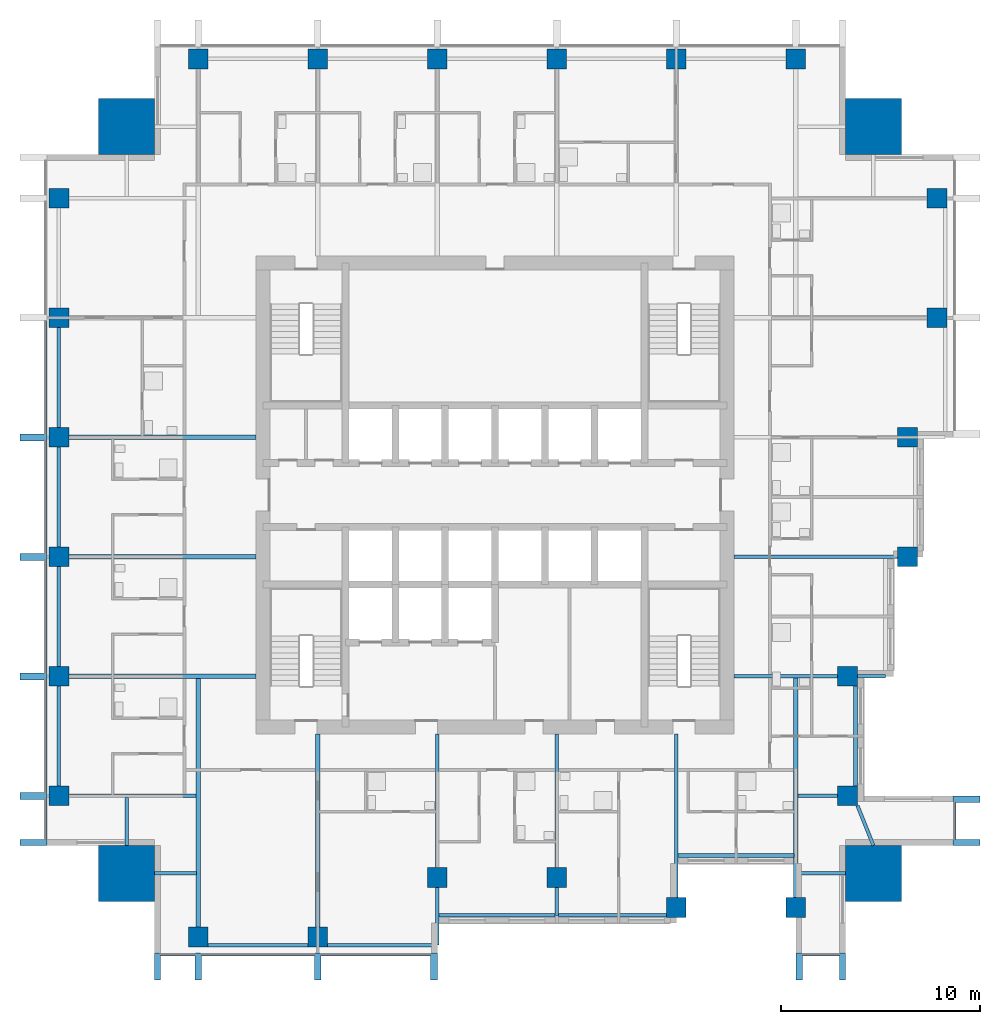
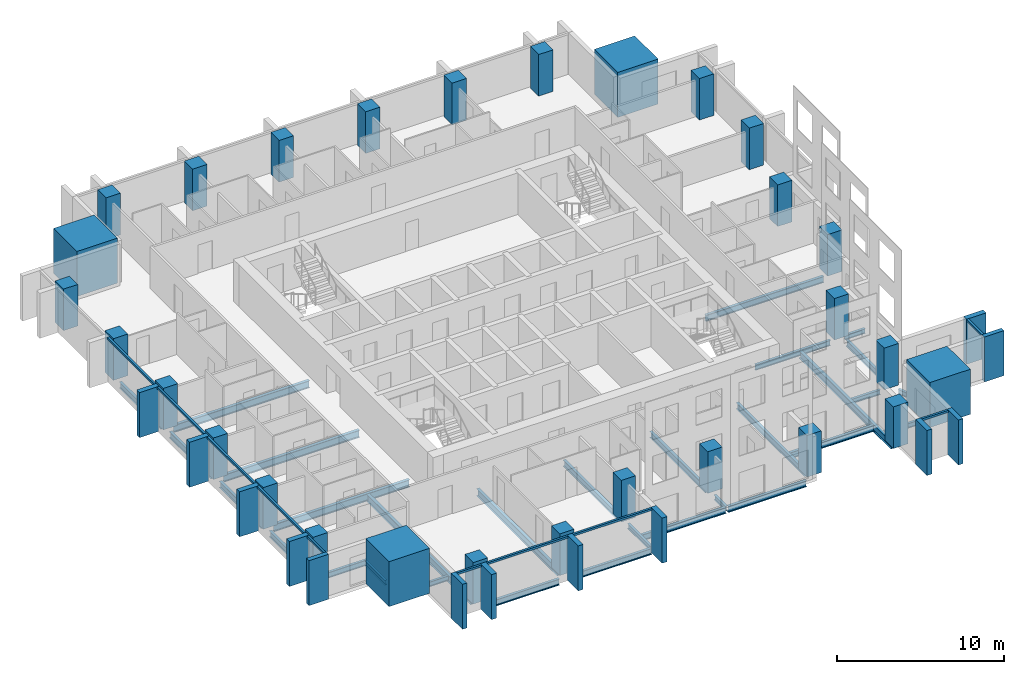
# One storey, part 1 of 11: 30 beams, 28 columns, 23 members, 4 elements without a shape of their own.
"""IFC4 building model written with IfcOpenShell, lengths in metres."""

import ifcopenshell
import ifcopenshell.guid

model = None  # the IFC model being written
_history = None  # IfcOwnerHistory: only IFC2X3 demands one
_inside = {}  # id of a spatial element -> (the spatial element, [elements in it])
_under = {}  # id of a project, library or spatial element -> (it, [spatial elements below it])
_declared = {}  # id of a project -> (the project, [libraries it declares])
_typed = {}  # id of a type object -> (the type object, [elements of that type])
_made_of = {}  # id of a material, layer set ... -> (it, [elements and type objects made of it])


def new_model(schema):
    """Start an empty IFC model of exactly this schema.

    Asked for "IFC4X3", IfcOpenShell would pick the latest addendum, in which some entities
    have other attributes; the version numbers below select the first issue.
    IFC2X3 requires an IfcOwnerHistory on every rooted entity: one is made here for all.
    """
    global model, _history
    if schema == "IFC4X3":
        model = ifcopenshell.file(schema_version=(4, 3, 0, 0))
    else:
        model = ifcopenshell.file(schema=schema)
    _inside.clear()
    _under.clear()
    _declared.clear()
    _typed.clear()
    _made_of.clear()
    _history = None
    if model.schema == "IFC2X3":
        org = make("IfcOrganization", Name="unknown")
        user = make(
            "IfcPersonAndOrganization",
            ThePerson=make("IfcPerson", FamilyName="unknown"),
            TheOrganization=org,
        )
        app = make(
            "IfcApplication",
            ApplicationDeveloper=org,
            Version="unknown",
            ApplicationFullName="unknown",
            ApplicationIdentifier="unknown",
        )
        _history = make(
            "IfcOwnerHistory",
            OwningUser=user,
            OwningApplication=app,
            ChangeAction="ADDED",
            CreationDate=0,
        )
    return model


def make(cls, **values):
    """One entity of the class cls with the attributes given. An attribute that is None is left unset."""
    return model.create_entity(
        cls, **{name: value for name, value in values.items() if value is not None}
    )


def rooted(cls, **values):
    """An entity with a GlobalId (a new one), such as an element, a storey or a relation."""
    return make(cls, GlobalId=ifcopenshell.guid.new(), OwnerHistory=_history, **values)


def si_unit(unit_type, name, prefix=None):
    """IfcSIUnit, for example si_unit("LENGTHUNIT", "METRE", prefix="MILLI")."""
    return make("IfcSIUnit", UnitType=unit_type, Prefix=prefix, Name=name)


def assignment(units):
    """IfcUnitAssignment: the units of a project."""
    return None if units is None else make("IfcUnitAssignment", Units=units)


def point(xyz):
    """IfcCartesianPoint."""
    return None if xyz is None else make("IfcCartesianPoint", Coordinates=xyz)


def direction(xyz):
    """IfcDirection."""
    return None if xyz is None else make("IfcDirection", DirectionRatios=xyz)


def frame(location, z_axis=None, x_axis=None):
    """IfcAxis2Placement3D, a coordinate frame: its origin and axes. An axis left out is left unset."""
    return make(
        "IfcAxis2Placement3D",
        Location=point(location),
        Axis=direction(z_axis),
        RefDirection=direction(x_axis),
    )


def frame_2d(location, x_axis=None):
    """IfcAxis2Placement2D, a coordinate frame in the plane: its origin and x axis."""
    return make(
        "IfcAxis2Placement2D", Location=point(location), RefDirection=direction(x_axis)
    )


def origin():
    """The frame at (0, 0, 0) with its axes left unset."""
    return frame((0.0, 0.0, 0.0))


def origin_2d():
    """The frame at (0, 0) in the plane with its x axis left unset."""
    return frame_2d((0.0, 0.0))


def place(relative_to, where):
    """IfcLocalPlacement: puts the frame where relative to a parent placement (None: the world)."""
    return make(
        "IfcLocalPlacement", PlacementRelTo=relative_to, RelativePlacement=where
    )


def context(
    kind, dimensions, precision=None, world=None, true_north=None, identifier=None
):
    """IfcGeometricRepresentationContext, for example the 3D "Model" context."""
    return make(
        "IfcGeometricRepresentationContext",
        ContextIdentifier=identifier,
        ContextType=kind,
        CoordinateSpaceDimension=dimensions,
        Precision=precision,
        WorldCoordinateSystem=world,
        TrueNorth=true_north,
    )


def subcontext(parent, identifier, kind, view, scale=None):
    """IfcGeometricRepresentationSubContext, for example "Body" below "Model"."""
    return make(
        "IfcGeometricRepresentationSubContext",
        ContextIdentifier=identifier,
        ContextType=kind,
        ParentContext=parent,
        TargetScale=scale,
        TargetView=view,
    )


def project(units=None, contexts=None):
    """IfcProject with its units and contexts."""
    return rooted(
        "IfcProject",
        Name="project",
        RepresentationContexts=contexts,
        UnitsInContext=assignment(units),
    )


def spatial(cls, under=None, at=None, **own):
    """A site, building, storey or space (cls), placed at a placement, below another one or the project."""
    s = rooted(cls, ObjectPlacement=at, **own)
    if under is not None:
        _under.setdefault(under.id(), (under, []))[1].append(s)
    return s


def profile(cls, at=None, kind="AREA", **sizes):
    """A parametric profile (cls). Its sizes go by their IFC names, for example OverallWidth=200.0."""
    return make(cls, ProfileType=kind, Position=at, **sizes)


def rectangle(**sizes):
    """IfcRectangleProfileDef."""
    return profile("IfcRectangleProfileDef", **sizes)


def i_section(**sizes):
    """IfcIShapeProfileDef."""
    return profile("IfcIShapeProfileDef", **sizes)


def extrude(swept, where, along, depth):
    """IfcExtrudedAreaSolid: the profile swept, set in the frame where, extruded along a direction by depth."""
    return make(
        "IfcExtrudedAreaSolid",
        SweptArea=swept,
        Position=where,
        ExtrudedDirection=direction(along),
        Depth=depth,
    )


def shape(context_of_items, identifier, shape_type, items):
    """IfcShapeRepresentation: the items that make up one representation, for example the "Body"."""
    return make(
        "IfcShapeRepresentation",
        ContextOfItems=context_of_items,
        RepresentationIdentifier=identifier,
        RepresentationType=shape_type,
        Items=items,
    )


def material(Name=None, Category=None):
    """IfcMaterial."""
    return make("IfcMaterial", Name=Name, Category=Category)


def material_profile(
    of_material, cross_section, Name=None, Category=None, Priority=None
):
    """IfcMaterialProfile: a cross section and its material."""
    return make(
        "IfcMaterialProfile",
        Name=Name,
        Material=of_material,
        Profile=cross_section,
        Priority=Priority,
        Category=Category,
    )


def profile_set(profiles, Name=None, composite=None):
    """IfcMaterialProfileSet."""
    return make(
        "IfcMaterialProfileSet",
        Name=Name,
        MaterialProfiles=profiles,
        CompositeProfile=composite,
    )


def made_of(thing, what):
    """Note that an element or type object is made of a material, layer set ...; save() writes the relation."""
    if what is not None:
        _made_of.setdefault(what.id(), (what, []))[1].append(thing)
    return thing


def type_object(cls, material=None, **own):
    """A type object (cls), such as IfcWallType, which elements share."""
    return made_of(rooted(cls, **own), material)


def element(
    cls,
    number,
    at=None,
    inside=None,
    cuts=None,
    type_object=None,
    material=None,
    context=None,
    identifier="Body",
    shape_type=None,
    held_by="IfcProductDefinitionShape",
    body=None,
    shapes=None,
    **own,
):
    """One element of the class cls, such as IfcWall. Its Tag is "e" and its number.

    at: its placement. inside: the storey or other place that contains it. cuts: it is an
    opening in that element (IfcRelVoidsElement). A single representation is given by context,
    identifier, shape_type and body (its items); several are given by shapes. held_by: the class
    of the entity that holds the representations. save() writes the other relations.
    """
    e = rooted(cls, Tag="e%d" % number, ObjectPlacement=at, **own)
    if body is not None:
        shapes = [shape(context, identifier, shape_type, body)]
    if shapes is not None:
        e.Representation = make(held_by, Representations=shapes)
    if inside is not None:
        _inside.setdefault(inside.id(), (inside, []))[1].append(e)
    if cuts is not None:
        rooted(
            "IfcRelVoidsElement", RelatingBuildingElement=cuts, RelatedOpeningElement=e
        )
    if type_object is not None:
        _typed.setdefault(type_object.id(), (type_object, []))[1].append(e)
    return made_of(e, material)


def aggregate(whole, parts):
    """IfcRelAggregates: a whole, such as a stair, and the parts it consists of."""
    return rooted("IfcRelAggregates", RelatingObject=whole, RelatedObjects=parts)


def save(model, path):
    """Write the relations noted so far, then the file.

    IfcRelAggregates (storeys below a building ...), IfcRelContainedInSpatialStructure (elements
    in a storey), IfcRelDefinesByType, IfcRelAssociatesMaterial and IfcRelDeclares: one each for
    every whole, place, type object, material and project.
    """
    for whole, parts in _under.values():
        aggregate(whole, parts)
    for where, things in _inside.values():
        rooted(
            "IfcRelContainedInSpatialStructure",
            RelatedElements=things,
            RelatingStructure=where,
        )
    for kind, things in _typed.values():
        rooted("IfcRelDefinesByType", RelatedObjects=things, RelatingType=kind)
    for what, things in _made_of.values():
        rooted("IfcRelAssociatesMaterial", RelatedObjects=things, RelatingMaterial=what)
    for by, libraries in _declared.values():
        rooted("IfcRelDeclares", RelatingContext=by, RelatedDefinitions=libraries)
    model.write(path)


model = new_model("IFC4")

# Units and contexts
model_context = context("Model", 3, precision=1e-05, world=origin(), true_north=direction((0.0, 1.0)))
body_context = subcontext(model_context, "Body", "Model", "MODEL_VIEW")
ifc_project = project(units=[si_unit("LENGTHUNIT", "METRE"), si_unit("AREAUNIT", "SQUARE_METRE"), si_unit("VOLUMEUNIT", "CUBIC_METRE"), si_unit("PLANEANGLEUNIT", "RADIAN"), si_unit("MASSUNIT", "GRAM", prefix="KILO")], contexts=[model_context])

# Site, building, storey
site_placement = place(None, origin())
site = spatial("IfcSite", under=ifc_project, at=site_placement, CompositionType="ELEMENT")
building_placement = place(site_placement, origin())
building = spatial("IfcBuilding", under=site, at=building_placement, Name="Amberfall Residences", CompositionType="ELEMENT")
storey_placement = place(building_placement, frame((0.0, 0.0, 154.89990234375)))
storey = spatial("IfcBuildingStorey", under=building, at=storey_placement, Name="L41", CompositionType="ELEMENT", Elevation=154.89990234375)

# Columns
ifc_material_1 = material(Name="Concrete C60", Category="concrete")
ifc_material_profile_1 = material_profile(ifc_material_1, rectangle(XDim=1.0, YDim=1.0, at=origin_2d()), Name="Column 1000 x 1000 C60")
ifc_profile_set_1 = profile_set([ifc_material_profile_1], Name="Concrete C60")
column_type_1 = type_object("IfcColumnType", Name="Column 1000 x 1000 C60", PredefinedType="COLUMN", material=ifc_profile_set_1)
for number, where, z_axis, x_axis, name in (
    (1, (59.60009765625, 23.300048828125, 0.0), (0.0, 0.0, 1.0), (1.0, 0.0, 0.0), "Column C3 L41 S1"),
    (2, (65.60009765625, 23.300048828125, 0.0), (0.0, 0.0, 1.0), (1.0, 0.0, 0.0), "Column C3 L41 S2"),
    (3, (71.60009765625, 26.300048828125, 0.0), (0.0, 0.0, 1.0), (1.0, 0.0, 0.0), "Column C3 L41 S3"),
    (4, (77.60009765625, 26.300048828125, 0.0), (0.0, 0.0, 1.0), (1.0, 0.0, 0.0), "Column C3 L41 S4"),
    (5, (83.60009765625, 24.800048828125, 0.0), (0.0, 0.0, 1.0), (1.0, 0.0, 0.0), "Column C3 L41 S5"),
    (6, (89.60009765625, 24.800048828125, 0.0), (0.0, 0.0, 1.0), (1.0, 0.0, 0.0), "Column C3 L41 S6"),
    (7, (92.199951171875, 30.39990234375, 0.0), (0.0, 0.0, 1.0), (1.0, 0.0, 0.0), "Column C3 L41 E1"),
    (8, (92.199951171875, 36.39990234375, 0.0), (0.0, 0.0, 1.0), (1.0, 0.0, 0.0), "Column C3 L41 E2"),
    (9, (95.199951171875, 42.39990234375, 0.0), (0.0, 0.0, 1.0), (1.0, 0.0, 0.0), "Column C3 L41 E3"),
    (10, (95.199951171875, 48.39990234375, 0.0), (0.0, 0.0, 1.0), (1.0, 0.0, 0.0), "Column C3 L41 E4"),
    (11, (96.699951171875, 54.39990234375, 0.0), (0.0, 0.0, 1.0), (1.0, 0.0, 0.0), "Column C3 L41 E5"),
    (12, (96.699951171875, 60.39990234375, 0.0), (0.0, 0.0, 1.0), (1.0, 0.0, 0.0), "Column C3 L41 E6"),
    (13, (59.60009765625, 67.39990234375, 0.0), (0.0, 0.0, 1.0), (1.0, 0.0, 0.0), "Column C3 L41 N1"),
    (14, (65.60009765625, 67.39990234375, 0.0), (0.0, 0.0, 1.0), (1.0, 0.0, 0.0), "Column C3 L41 N2"),
    (15, (71.60009765625, 67.39990234375, 0.0), (0.0, 0.0, 1.0), (1.0, 0.0, 0.0), "Column C3 L41 N3"),
    (16, (77.60009765625, 67.39990234375, 0.0), (0.0, 0.0, 1.0), (1.0, 0.0, 0.0), "Column C3 L41 N4"),
    (17, (83.60009765625, 67.39990234375, 0.0), (0.0, 0.0, 1.0), (1.0, 0.0, 0.0), "Column C3 L41 N5"),
    (18, (89.60009765625, 67.39990234375, 0.0), (0.0, 0.0, 1.0), (1.0, 0.0, 0.0), "Column C3 L41 N6"),
    (19, (52.60009765625, 30.39990234375, 0.0), (0.0, 0.0, 1.0), (1.0, 0.0, 0.0), "Column C3 L41 W1"),
    (20, (52.60009765625, 36.39990234375, 0.0), (0.0, 0.0, 1.0), (1.0, 0.0, 0.0), "Column C3 L41 W2"),
    (21, (52.60009765625, 42.39990234375, 0.0), (0.0, 0.0, 1.0), (1.0, 0.0, 0.0), "Column C3 L41 W3"),
    (22, (52.60009765625, 48.39990234375, 0.0), (0.0, 0.0, 1.0), (1.0, 0.0, 0.0), "Column C3 L41 W4"),
    (23, (52.60009765625, 54.39990234375, 0.0), (0.0, 0.0, 1.0), (1.0, 0.0, 0.0), "Column C3 L41 W5"),
    (24, (52.60009765625, 60.39990234375, 0.0), (0.0, 0.0, 1.0), (1.0, 0.0, 0.0), "Column C3 L41 W6"),
):
    element("IfcColumn", number, at=place(storey_placement, frame(where, z_axis=z_axis, x_axis=x_axis)), inside=storey, type_object=column_type_1, Name=name, PredefinedType="COLUMN", context=body_context, shape_type="SweptSolid", body=[
        extrude(rectangle(XDim=1.0, YDim=1.0, at=origin_2d()), origin(), (0.0, 0.0, 1.0), 3.050048828125),
    ])
ifc_material_profile_2 = material_profile(ifc_material_1, rectangle(XDim=2.800048828125, YDim=2.800048828125, at=origin_2d()), Name="Mega column 2800 x 2800 C60")
ifc_profile_set_2 = profile_set([ifc_material_profile_2], Name="Concrete C60")
column_type_2 = type_object("IfcColumnType", Name="Mega column 2800 x 2800 C60", PredefinedType="COLUMN", material=ifc_profile_set_2)
for number, where, z_axis, x_axis, name in (
    (25, (56.0, 26.5, 0.0), (0.0, 0.0, 1.0), (1.0, 0.0, 0.0), "Mega column MC5 L41 SW"),
    (26, (93.5, 26.5, 0.0), (0.0, 0.0, 1.0), (1.0, 0.0, 0.0), "Mega column MC5 L41 SE"),
    (27, (93.5, 64.0, 0.0), (0.0, 0.0, 1.0), (1.0, 0.0, 0.0), "Mega column MC5 L41 NE"),
    (28, (56.0, 64.0, 0.0), (0.0, 0.0, 1.0), (1.0, 0.0, 0.0), "Mega column MC5 L41 NW"),
):
    element("IfcColumn", number, at=place(storey_placement, frame(where, z_axis=z_axis, x_axis=x_axis)), inside=storey, type_object=column_type_2, Name=name, PredefinedType="COLUMN", context=body_context, shape_type="SweptSolid", body=[
        extrude(rectangle(XDim=2.800048828125, YDim=2.800048828125, at=origin_2d()), origin(), (0.0, 0.0, 1.0), 3.300048828125),
    ])

# Curtain wall, members
ifc_material_2 = material(Name="Bronze anodised aluminium and glass", Category="aluminium")
curtain_wall_type = type_object("IfcCurtainWallType", Name="Curtain wall CW1 tower unit", PredefinedType="USERDEFINED", material=ifc_material_2)
curtain_wall_1_placement = place(storey_placement, origin())
curtain_wall_1 = element("IfcCurtainWall", 29, at=curtain_wall_1_placement, inside=storey, type_object=curtain_wall_type, Name="Curtain wall L41 S S1", ObjectType="UNITISED CURTAIN WALL", PredefinedType="USERDEFINED")
ifc_material_3 = material(Name="Bronze anodised aluminium", Category="aluminium")
ifc_material_profile_3 = material_profile(ifc_material_3, rectangle(XDim=0.14990234375, YDim=0.14990234375, at=origin_2d()), Name="CW1 transom 150 x 150 bronze")
ifc_profile_set_3 = profile_set([ifc_material_profile_3], Name="Bronze anodised aluminium")
member_type_1 = type_object("IfcMemberType", Name="CW1 transom 150 x 150 bronze", PredefinedType="USERDEFINED", material=ifc_profile_set_3)
member_1_placement = place(storey_placement, frame((57.699951171875, 22.425048828125, 2.97509765625), z_axis=(1.0, 0.0, 0.0), x_axis=(0.0, 1.0, 0.0)))
member_1 = element("IfcMember", 30, at=member_1_placement, type_object=member_type_1, Name="CW1 transom 1.1", ObjectType="TRANSOM", PredefinedType="USERDEFINED", context=body_context, shape_type="SweptSolid", body=[
    extrude(rectangle(XDim=0.14990234375, YDim=0.14990234375, at=origin_2d()), origin(), (0.0, 0.0, 1.0), 1.72509765625),
])
member_2_placement = place(storey_placement, frame((59.77490234375, 22.425048828125, 2.97509765625), z_axis=(1.0, 0.0, 0.0), x_axis=(0.0, 1.0, 0.0)))
member_2 = element("IfcMember", 31, at=member_2_placement, type_object=member_type_1, Name="CW1 transom 2.1", ObjectType="TRANSOM", PredefinedType="USERDEFINED", context=body_context, shape_type="SweptSolid", body=[
    extrude(rectangle(XDim=0.14990234375, YDim=0.14990234375, at=origin_2d()), origin(), (0.0, 0.0, 1.0), 5.650146484375),
])
member_3_placement = place(storey_placement, frame((65.77490234375, 22.425048828125, 2.97509765625), z_axis=(1.0, 0.0, 0.0), x_axis=(0.0, 1.0, 0.0)))
member_3 = element("IfcMember", 32, at=member_3_placement, type_object=member_type_1, Name="CW1 transom 3.1", ObjectType="TRANSOM", PredefinedType="USERDEFINED", context=body_context, shape_type="SweptSolid", body=[
    extrude(rectangle(XDim=0.14990234375, YDim=0.14990234375, at=origin_2d()), origin(), (0.0, 0.0, 1.0), 5.47509765625),
])

# Curtain wall, member
curtain_wall_2_placement = place(storey_placement, origin())
curtain_wall_2 = element("IfcCurtainWall", 33, at=curtain_wall_2_placement, inside=storey, type_object=curtain_wall_type, Name="Curtain wall L41 S S8", ObjectType="UNITISED CURTAIN WALL", PredefinedType="USERDEFINED")
member_4_placement = place(storey_placement, frame((89.949951171875, 22.425048828125, 2.97509765625), z_axis=(1.0, 0.0, 0.0), x_axis=(0.0, 1.0, 0.0)))
member_4 = element("IfcMember", 34, at=member_4_placement, type_object=member_type_1, Name="CW1 transom 1.1", ObjectType="TRANSOM", PredefinedType="USERDEFINED", context=body_context, shape_type="SweptSolid", body=[
    extrude(rectangle(XDim=0.14990234375, YDim=0.14990234375, at=origin_2d()), origin(), (0.0, 0.0, 1.0), 1.85009765625),
])

curtain_wall_3_placement = place(storey_placement, origin())
curtain_wall_3 = element("IfcCurtainWall", 35, at=curtain_wall_3_placement, inside=storey, type_object=curtain_wall_type, Name="Curtain wall L41 E E1", ObjectType="UNITISED CURTAIN WALL", PredefinedType="USERDEFINED")
member_5_placement = place(storey_placement, frame((97.574951171875, 28.199951171875, 2.97509765625), z_axis=(0.0, 1.0, 0.0), x_axis=(-1.0, 0.0, 0.0)))
member_5 = element("IfcMember", 36, at=member_5_placement, type_object=member_type_1, Name="CW1 transom 1.1", ObjectType="TRANSOM", PredefinedType="USERDEFINED", context=body_context, shape_type="SweptSolid", body=[
    extrude(rectangle(XDim=0.14990234375, YDim=0.14990234375, at=origin_2d()), origin(), (0.0, 0.0, 1.0), 1.85009765625),
])

# Curtain wall, members
curtain_wall_4_placement = place(storey_placement, origin())
curtain_wall_4 = element("IfcCurtainWall", 37, at=curtain_wall_4_placement, inside=storey, type_object=curtain_wall_type, Name="Curtain wall L41 W W1", ObjectType="UNITISED CURTAIN WALL", PredefinedType="USERDEFINED")
member_6_placement = place(storey_placement, frame((51.925048828125, 54.22509765625, 2.97509765625), z_axis=(0.0, -1.0, 0.0), x_axis=(1.0, 0.0, 0.0)))
member_6 = element("IfcMember", 38, at=member_6_placement, type_object=member_type_1, Name="CW1 transom 3.1", ObjectType="TRANSOM", PredefinedType="USERDEFINED", context=body_context, shape_type="SweptSolid", body=[
    extrude(rectangle(XDim=0.14990234375, YDim=0.14990234375, at=origin_2d()), origin(), (0.0, 0.0, 1.0), 5.650146484375),
])
member_7_placement = place(storey_placement, frame((51.925048828125, 48.22509765625, 2.97509765625), z_axis=(0.0, -1.0, 0.0), x_axis=(1.0, 0.0, 0.0)))
member_7 = element("IfcMember", 39, at=member_7_placement, type_object=member_type_1, Name="CW1 transom 4.1", ObjectType="TRANSOM", PredefinedType="USERDEFINED", context=body_context, shape_type="SweptSolid", body=[
    extrude(rectangle(XDim=0.14990234375, YDim=0.14990234375, at=origin_2d()), origin(), (0.0, 0.0, 1.0), 5.650146484375),
])
member_8_placement = place(storey_placement, frame((51.925048828125, 42.22509765625, 2.97509765625), z_axis=(0.0, -1.0, 0.0), x_axis=(1.0, 0.0, 0.0)))
member_8 = element("IfcMember", 40, at=member_8_placement, type_object=member_type_1, Name="CW1 transom 5.1", ObjectType="TRANSOM", PredefinedType="USERDEFINED", context=body_context, shape_type="SweptSolid", body=[
    extrude(rectangle(XDim=0.14990234375, YDim=0.14990234375, at=origin_2d()), origin(), (0.0, 0.0, 1.0), 5.650146484375),
])
member_9_placement = place(storey_placement, frame((51.925048828125, 36.22509765625, 2.97509765625), z_axis=(0.0, -1.0, 0.0), x_axis=(1.0, 0.0, 0.0)))
member_9 = element("IfcMember", 41, at=member_9_placement, type_object=member_type_1, Name="CW1 transom 6.1", ObjectType="TRANSOM", PredefinedType="USERDEFINED", context=body_context, shape_type="SweptSolid", body=[
    extrude(rectangle(XDim=0.14990234375, YDim=0.14990234375, at=origin_2d()), origin(), (0.0, 0.0, 1.0), 5.650146484375),
])
member_10_placement = place(storey_placement, frame((51.925048828125, 30.22509765625, 2.97509765625), z_axis=(0.0, -1.0, 0.0), x_axis=(1.0, 0.0, 0.0)))
member_10 = element("IfcMember", 42, at=member_10_placement, type_object=member_type_1, Name="CW1 transom 7.1", ObjectType="TRANSOM", PredefinedType="USERDEFINED", context=body_context, shape_type="SweptSolid", body=[
    extrude(rectangle(XDim=0.14990234375, YDim=0.14990234375, at=origin_2d()), origin(), (0.0, 0.0, 1.0), 2.025146484375),
])

# Beams
ifc_material_4 = material(Name="Steel S355", Category="steel")
ifc_material_profile_4 = material_profile(ifc_material_4, i_section(OverallWidth=0.171142578125, OverallDepth=0.351318359375, WebThickness=0.007080078125, FlangeThickness=0.009765625, FilletRadius=0.01025390625, at=origin_2d()), Name="UB 356x171x45")
ifc_profile_set_4 = profile_set([ifc_material_profile_4], Name="Steel S355")
beam_type_1 = type_object("IfcBeamType", Name="Cantilever girder UB 356x171x45", PredefinedType="BEAM", material=ifc_profile_set_4)
beam_1_placement = place(storey_placement, frame((71.60009765625, 25.800048828125, -0.425537109375), z_axis=(0.0, -1.0, 0.0), x_axis=(1.0, 0.0, 0.0)))
element("IfcBeam", 43, at=beam_1_placement, inside=storey, type_object=beam_type_1, Name="Cantilever girder B8 L41 06", PredefinedType="BEAM", context=body_context, shape_type="SweptSolid", body=[
    extrude(i_section(OverallWidth=0.171142578125, OverallDepth=0.351318359375, WebThickness=0.007080078125, FlangeThickness=0.009765625, FilletRadius=0.01025390625, at=origin_2d()), origin(), (0.0, 0.0, 1.0), 2.900146484375),
])
for number, where, z_axis, x_axis, name in (
    (44, (77.60009765625, 25.800048828125, -0.425537109375), (0.0, -1.0, 0.0), (1.0, 0.0, 0.0), "Cantilever girder B8 L41 07"),
    (45, (92.699951171875, 36.39990234375, -0.425537109375), (1.0, 0.0, 0.0), (0.0, 1.0, 0.0), "Cantilever girder B8 L41 19"),
):
    element("IfcBeam", number, at=place(storey_placement, frame(where, z_axis=z_axis, x_axis=x_axis)), inside=storey, type_object=beam_type_1, Name=name, PredefinedType="BEAM", context=body_context, shape_type="SweptSolid", body=[
        extrude(i_section(OverallWidth=0.171142578125, OverallDepth=0.351318359375, WebThickness=0.007080078125, FlangeThickness=0.009765625, FilletRadius=0.01025390625, at=origin_2d()), origin(), (0.0, 0.0, 1.0), 1.400146484375),
    ])

# Member
ifc_material_profile_5 = material_profile(ifc_material_3, rectangle(XDim=1.35009765625, YDim=0.300048828125, at=origin_2d()), Name="Corner fin 300 x 1350 bronze")
ifc_profile_set_5 = profile_set([ifc_material_profile_5], Name="Bronze anodised aluminium")
member_type_2 = type_object("IfcMemberType", Name="Corner fin 300 x 1350 bronze", PredefinedType="MULLION", material=ifc_profile_set_5)
member_11_placement = place(storey_placement, frame((57.550048828125, 21.824951171875, -0.25), z_axis=(0.0, 0.0, 1.0), x_axis=(0.0, 1.0, 0.0)))
member_11 = element("IfcMember", 46, at=member_11_placement, type_object=member_type_2, Name="CW FIN 1", PredefinedType="MULLION", context=body_context, shape_type="SweptSolid", body=[
    extrude(rectangle(XDim=1.35009765625, YDim=0.300048828125, at=origin_2d()), origin(), (0.0, 0.0, 1.0), 3.300048828125),
])

member_12_placement = place(storey_placement, frame((91.949951171875, 21.824951171875, -0.25), z_axis=(0.0, 0.0, 1.0), x_axis=(0.0, 1.0, 0.0)))
member_12 = element("IfcMember", 47, at=member_12_placement, type_object=member_type_2, Name="CW FIN 2", PredefinedType="MULLION", context=body_context, shape_type="SweptSolid", body=[
    extrude(rectangle(XDim=1.35009765625, YDim=0.300048828125, at=origin_2d()), origin(), (0.0, 0.0, 1.0), 3.300048828125),
])

member_13_placement = place(storey_placement, frame((98.175048828125, 28.050048828125, -0.25), z_axis=(0.0, 0.0, 1.0), x_axis=(-1.0, 0.0, 0.0)))
member_13 = element("IfcMember", 48, at=member_13_placement, type_object=member_type_2, Name="CW FIN 1", PredefinedType="MULLION", context=body_context, shape_type="SweptSolid", body=[
    extrude(rectangle(XDim=1.35009765625, YDim=0.300048828125, at=origin_2d()), origin(), (0.0, 0.0, 1.0), 3.300048828125),
])

member_14_placement = place(storey_placement, frame((51.324951171875, 28.050048828125, -0.25), z_axis=(0.0, 0.0, 1.0), x_axis=(1.0, 0.0, 0.0)))
member_14 = element("IfcMember", 49, at=member_14_placement, type_object=member_type_2, Name="CW FIN 8", PredefinedType="MULLION", context=body_context, shape_type="SweptSolid", body=[
    extrude(rectangle(XDim=1.35009765625, YDim=0.300048828125, at=origin_2d()), origin(), (0.0, 0.0, 1.0), 3.300048828125),
])

# Beams
ifc_material_profile_6 = material_profile(ifc_material_4, i_section(OverallWidth=0.18994140625, OverallDepth=0.453369140625, WebThickness=0.008544921875, FlangeThickness=0.0126953125, FilletRadius=0.01025390625, at=origin_2d()), Name="UB 457x191x67")
ifc_profile_set_6 = profile_set([ifc_material_profile_6], Name="Steel S355")
beam_type_2 = type_object("IfcBeamType", Name="Edge beam UB 457x191x67", PredefinedType="SPANDREL", material=ifc_profile_set_6)
beam_2_placement = place(storey_placement, frame((60.10009765625, 22.89990234375, -0.4765625), z_axis=(1.0, 0.0, 0.0), x_axis=(0.0, 1.0, 0.0)))
element("IfcBeam", 50, at=beam_2_placement, inside=storey, type_object=beam_type_2, Name="Edge beam B1 L41 01", PredefinedType="SPANDREL", context=body_context, shape_type="SweptSolid", body=[
    extrude(i_section(OverallWidth=0.18994140625, OverallDepth=0.453369140625, WebThickness=0.008544921875, FlangeThickness=0.0126953125, FilletRadius=0.01025390625, at=origin_2d()), origin(), (0.0, 0.0, 1.0), 5.0),
])
beam_3_placement = place(storey_placement, frame((66.10009765625, 22.89990234375, -0.4765625), z_axis=(1.0, 0.0, 0.0), x_axis=(0.0, 1.0, 0.0)))
element("IfcBeam", 51, at=beam_3_placement, inside=storey, type_object=beam_type_2, Name="Edge beam B1 L41 02", PredefinedType="SPANDREL", context=body_context, shape_type="SweptSolid", body=[
    extrude(i_section(OverallWidth=0.18994140625, OverallDepth=0.453369140625, WebThickness=0.008544921875, FlangeThickness=0.0126953125, FilletRadius=0.01025390625, at=origin_2d()), origin(), (0.0, 0.0, 1.0), 5.419921875),
])
beam_4_placement = place(storey_placement, frame((71.679931640625, 24.39990234375, -0.4765625), z_axis=(1.0, 0.0, 0.0), x_axis=(0.0, 1.0, 0.0)))
element("IfcBeam", 52, at=beam_4_placement, inside=storey, type_object=beam_type_2, Name="Edge beam B1 L41 03", PredefinedType="SPANDREL", context=body_context, shape_type="SweptSolid", body=[
    extrude(i_section(OverallWidth=0.18994140625, OverallDepth=0.453369140625, WebThickness=0.008544921875, FlangeThickness=0.0126953125, FilletRadius=0.01025390625, at=origin_2d()), origin(), (0.0, 0.0, 1.0), 5.840087890625),
])
beam_5_placement = place(storey_placement, frame((77.679931640625, 24.39990234375, -0.4765625), z_axis=(1.0, 0.0, 0.0), x_axis=(0.0, 1.0, 0.0)))
element("IfcBeam", 53, at=beam_5_placement, inside=storey, type_object=beam_type_2, Name="Edge beam B1 L41 04", PredefinedType="SPANDREL", context=body_context, shape_type="SweptSolid", body=[
    extrude(i_section(OverallWidth=0.18994140625, OverallDepth=0.453369140625, WebThickness=0.008544921875, FlangeThickness=0.0126953125, FilletRadius=0.01025390625, at=origin_2d()), origin(), (0.0, 0.0, 1.0), 5.420166015625),
])
beam_6_placement = place(storey_placement, frame((83.679931640625, 27.39990234375, -0.4765625), z_axis=(1.0, 0.0, 0.0), x_axis=(0.0, 1.0, 0.0)))
element("IfcBeam", 54, at=beam_6_placement, inside=storey, type_object=beam_type_2, Name="Edge beam B1 L41 05", PredefinedType="SPANDREL", context=body_context, shape_type="SweptSolid", body=[
    extrude(i_section(OverallWidth=0.18994140625, OverallDepth=0.453369140625, WebThickness=0.008544921875, FlangeThickness=0.0126953125, FilletRadius=0.01025390625, at=origin_2d()), origin(), (0.0, 0.0, 1.0), 5.840087890625),
])
for number, where, z_axis, x_axis, name in (
    (55, (92.60009765625, 30.89990234375, -0.4765625), (0.0, 1.0, 0.0), (-1.0, 0.0, 0.0), "Edge beam B1 L41 14"),
    (56, (52.60009765625, 30.89990234375, -0.4765625), (0.0, 1.0, 0.0), (-1.0, 0.0, 0.0), "Edge beam B1 L41 38"),
    (57, (52.60009765625, 36.89990234375, -0.4765625), (0.0, 1.0, 0.0), (-1.0, 0.0, 0.0), "Edge beam B1 L41 39"),
    (58, (52.60009765625, 42.89990234375, -0.4765625), (0.0, 1.0, 0.0), (-1.0, 0.0, 0.0), "Edge beam B1 L41 40"),
    (59, (52.60009765625, 48.89990234375, -0.4765625), (0.0, 1.0, 0.0), (-1.0, 0.0, 0.0), "Edge beam B1 L41 41"),
):
    element("IfcBeam", number, at=place(storey_placement, frame(where, z_axis=z_axis, x_axis=x_axis)), inside=storey, type_object=beam_type_2, Name=name, PredefinedType="SPANDREL", context=body_context, shape_type="SweptSolid", body=[
        extrude(i_section(OverallWidth=0.18994140625, OverallDepth=0.453369140625, WebThickness=0.008544921875, FlangeThickness=0.0126953125, FilletRadius=0.01025390625, at=origin_2d()), origin(), (0.0, 0.0, 1.0), 5.0),
    ])

# Member
ifc_material_profile_7 = material_profile(ifc_material_3, rectangle(XDim=1.35009765625, YDim=0.35009765625, at=origin_2d()), Name="Fin 350 x 1350 bronze")
ifc_profile_set_7 = profile_set([ifc_material_profile_7], Name="Bronze anodised aluminium")
member_type_3 = type_object("IfcMemberType", Name="Fin 350 x 1350 bronze", PredefinedType="MULLION", material=ifc_profile_set_7)
member_15_placement = place(storey_placement, frame((59.60009765625, 21.824951171875, -0.25), z_axis=(0.0, 0.0, 1.0), x_axis=(0.0, 1.0, 0.0)))
member_15 = element("IfcMember", 60, at=member_15_placement, type_object=member_type_3, Name="CW FIN 2", PredefinedType="MULLION", context=body_context, shape_type="SweptSolid", body=[
    extrude(rectangle(XDim=1.35009765625, YDim=0.35009765625, at=origin_2d()), origin(), (0.0, 0.0, 1.0), 3.300048828125),
])

member_16_placement = place(storey_placement, frame((65.60009765625, 21.824951171875, -0.25), z_axis=(0.0, 0.0, 1.0), x_axis=(0.0, 1.0, 0.0)))
member_16 = element("IfcMember", 61, at=member_16_placement, type_object=member_type_3, Name="CW FIN 3", PredefinedType="MULLION", context=body_context, shape_type="SweptSolid", body=[
    extrude(rectangle(XDim=1.35009765625, YDim=0.35009765625, at=origin_2d()), origin(), (0.0, 0.0, 1.0), 3.300048828125),
])

member_17_placement = place(storey_placement, frame((71.425048828125, 21.824951171875, -0.25), z_axis=(0.0, 0.0, 1.0), x_axis=(0.0, 1.0, 0.0)))
member_17 = element("IfcMember", 62, at=member_17_placement, type_object=member_type_3, Name="CW FIN 4", PredefinedType="MULLION", context=body_context, shape_type="SweptSolid", body=[
    extrude(rectangle(XDim=1.35009765625, YDim=0.35009765625, at=origin_2d()), origin(), (0.0, 0.0, 1.0), 3.300048828125),
])

aggregate(curtain_wall_1, [member_11, member_15, member_16, member_17, member_1, member_2, member_3])

member_18_placement = place(storey_placement, frame((89.77490234375, 21.824951171875, -0.25), z_axis=(0.0, 0.0, 1.0), x_axis=(0.0, 1.0, 0.0)))
member_18 = element("IfcMember", 63, at=member_18_placement, type_object=member_type_3, Name="CW FIN 1", PredefinedType="MULLION", context=body_context, shape_type="SweptSolid", body=[
    extrude(rectangle(XDim=1.35009765625, YDim=0.35009765625, at=origin_2d()), origin(), (0.0, 0.0, 1.0), 3.300048828125),
])

aggregate(curtain_wall_2, [member_18, member_12, member_4])

member_19_placement = place(storey_placement, frame((98.175048828125, 30.22509765625, -0.25), z_axis=(0.0, 0.0, 1.0), x_axis=(-1.0, 0.0, 0.0)))
member_19 = element("IfcMember", 64, at=member_19_placement, type_object=member_type_3, Name="CW FIN 2", PredefinedType="MULLION", context=body_context, shape_type="SweptSolid", body=[
    extrude(rectangle(XDim=1.35009765625, YDim=0.35009765625, at=origin_2d()), origin(), (0.0, 0.0, 1.0), 3.300048828125),
])

aggregate(curtain_wall_3, [member_13, member_19, member_5])

member_20_placement = place(storey_placement, frame((51.324951171875, 48.39990234375, -0.25), z_axis=(0.0, 0.0, 1.0), x_axis=(1.0, 0.0, 0.0)))
member_20 = element("IfcMember", 65, at=member_20_placement, type_object=member_type_3, Name="CW FIN 4", PredefinedType="MULLION", context=body_context, shape_type="SweptSolid", body=[
    extrude(rectangle(XDim=1.35009765625, YDim=0.35009765625, at=origin_2d()), origin(), (0.0, 0.0, 1.0), 3.300048828125),
])

member_21_placement = place(storey_placement, frame((51.324951171875, 42.39990234375, -0.25), z_axis=(0.0, 0.0, 1.0), x_axis=(1.0, 0.0, 0.0)))
member_21 = element("IfcMember", 66, at=member_21_placement, type_object=member_type_3, Name="CW FIN 5", PredefinedType="MULLION", context=body_context, shape_type="SweptSolid", body=[
    extrude(rectangle(XDim=1.35009765625, YDim=0.35009765625, at=origin_2d()), origin(), (0.0, 0.0, 1.0), 3.300048828125),
])

member_22_placement = place(storey_placement, frame((51.324951171875, 36.39990234375, -0.25), z_axis=(0.0, 0.0, 1.0), x_axis=(1.0, 0.0, 0.0)))
member_22 = element("IfcMember", 67, at=member_22_placement, type_object=member_type_3, Name="CW FIN 6", PredefinedType="MULLION", context=body_context, shape_type="SweptSolid", body=[
    extrude(rectangle(XDim=1.35009765625, YDim=0.35009765625, at=origin_2d()), origin(), (0.0, 0.0, 1.0), 3.300048828125),
])

member_23_placement = place(storey_placement, frame((51.324951171875, 30.39990234375, -0.25), z_axis=(0.0, 0.0, 1.0), x_axis=(1.0, 0.0, 0.0)))
member_23 = element("IfcMember", 68, at=member_23_placement, type_object=member_type_3, Name="CW FIN 7", PredefinedType="MULLION", context=body_context, shape_type="SweptSolid", body=[
    extrude(rectangle(XDim=1.35009765625, YDim=0.35009765625, at=origin_2d()), origin(), (0.0, 0.0, 1.0), 3.300048828125),
])

aggregate(curtain_wall_4, [member_20, member_21, member_22, member_23, member_14, member_6, member_7, member_8, member_9, member_10])

# Beams
ifc_material_profile_8 = material_profile(ifc_material_4, i_section(OverallWidth=0.171142578125, OverallDepth=0.351318359375, WebThickness=0.007080078125, FlangeThickness=0.009765625, FilletRadius=0.01025390625, at=origin_2d()), Name="UB 356x171x45")
ifc_profile_set_8 = profile_set([ifc_material_profile_8], Name="Steel S355")
beam_type_3 = type_object("IfcBeamType", Name="Floor girder UB 356x171x45", PredefinedType="BEAM", material=ifc_profile_set_8)
beam_7_placement = place(storey_placement, frame((91.699951171875, 30.39990234375, -0.425537109375), z_axis=(-1.0, 0.0, 0.0), x_axis=(0.0, -1.0, 0.0)))
element("IfcBeam", 69, at=beam_7_placement, inside=storey, type_object=beam_type_3, Name="Floor girder B11 L41 21", PredefinedType="BEAM", context=body_context, shape_type="SweptSolid", body=[
    extrude(i_section(OverallWidth=0.171142578125, OverallDepth=0.351318359375, WebThickness=0.007080078125, FlangeThickness=0.009765625, FilletRadius=0.01025390625, at=origin_2d()), origin(), (0.0, 0.0, 1.0), 1.97998046875),
])
ifc_material_profile_9 = material_profile(ifc_material_4, i_section(OverallWidth=0.177734375, OverallDepth=0.402587890625, WebThickness=0.0078125, FlangeThickness=0.010986328125, FilletRadius=0.01025390625, at=origin_2d()), Name="UB 406x178x54")
ifc_profile_set_9 = profile_set([ifc_material_profile_9], Name="Steel S355")
beam_type_4 = type_object("IfcBeamType", Name="Floor girder UB 406x178x54", PredefinedType="BEAM", material=ifc_profile_set_9)
beam_8_placement = place(storey_placement, frame((91.699951171875, 36.39990234375, -0.451171875), z_axis=(-1.0, 0.0, 0.0), x_axis=(0.0, -1.0, 0.0)))
element("IfcBeam", 70, at=beam_8_placement, inside=storey, type_object=beam_type_4, Name="Floor girder B4 L41 22", PredefinedType="BEAM", context=body_context, shape_type="SweptSolid", body=[
    extrude(i_section(OverallWidth=0.177734375, OverallDepth=0.402587890625, WebThickness=0.0078125, FlangeThickness=0.010986328125, FilletRadius=0.01025390625, at=origin_2d()), origin(), (0.0, 0.0, 1.0), 5.199951171875),
])
beam_9_placement = place(storey_placement, frame((53.10009765625, 30.39990234375, -0.451171875), z_axis=(1.0, 0.0, 0.0), x_axis=(0.0, 1.0, 0.0)))
element("IfcBeam", 71, at=beam_9_placement, inside=storey, type_object=beam_type_4, Name="Floor girder B4 L41 43", PredefinedType="BEAM", context=body_context, shape_type="SweptSolid", body=[
    extrude(i_section(OverallWidth=0.177734375, OverallDepth=0.402587890625, WebThickness=0.0078125, FlangeThickness=0.010986328125, FilletRadius=0.01025390625, at=origin_2d()), origin(), (0.0, 0.0, 1.0), 6.3798828125),
])
ifc_material_profile_10 = material_profile(ifc_material_4, i_section(OverallWidth=0.19140625, OverallDepth=0.4599609375, WebThickness=0.010009765625, FlangeThickness=0.01611328125, FilletRadius=0.01025390625, at=origin_2d()), Name="UB 457x191x82")
ifc_profile_set_10 = profile_set([ifc_material_profile_10], Name="Steel S355")
beam_type_5 = type_object("IfcBeamType", Name="Floor girder UB 457x191x82", PredefinedType="BEAM", material=ifc_profile_set_10)
for number, where, z_axis, x_axis, name in (
    (72, (71.60009765625, 26.800048828125, -0.47998046875), (0.0, 1.0, 0.0), (-1.0, 0.0, 0.0), "Floor girder B10 L41 10"),
    (73, (77.60009765625, 26.800048828125, -0.47998046875), (0.0, 1.0, 0.0), (-1.0, 0.0, 0.0), "Floor girder B10 L41 11"),
):
    element("IfcBeam", number, at=place(storey_placement, frame(where, z_axis=z_axis, x_axis=x_axis)), inside=storey, type_object=beam_type_5, Name=name, PredefinedType="BEAM", context=body_context, shape_type="SweptSolid", body=[
        extrude(i_section(OverallWidth=0.19140625, OverallDepth=0.4599609375, WebThickness=0.010009765625, FlangeThickness=0.01611328125, FilletRadius=0.01025390625, at=origin_2d()), origin(), (0.0, 0.0, 1.0), 6.699951171875),
    ])
for number, where, z_axis, x_axis, name in (
    (74, (83.60009765625, 25.300048828125, -0.47998046875), (0.0, 1.0, 0.0), (-1.0, 0.0, 0.0), "Floor girder B10 L41 12"),
    (75, (94.699951171875, 42.39990234375, -0.47998046875), (-1.0, 0.0, 0.0), (0.0, -1.0, 0.0), "Floor girder B10 L41 23"),
):
    element("IfcBeam", number, at=place(storey_placement, frame(where, z_axis=z_axis, x_axis=x_axis)), inside=storey, type_object=beam_type_5, Name=name, PredefinedType="BEAM", context=body_context, shape_type="SweptSolid", body=[
        extrude(i_section(OverallWidth=0.19140625, OverallDepth=0.4599609375, WebThickness=0.010009765625, FlangeThickness=0.01611328125, FilletRadius=0.01025390625, at=origin_2d()), origin(), (0.0, 0.0, 1.0), 8.199951171875),
    ])
ifc_material_profile_11 = material_profile(ifc_material_4, i_section(OverallWidth=0.210693359375, OverallDepth=0.53955078125, WebThickness=0.01171875, FlangeThickness=0.018798828125, FilletRadius=0.0126953125, at=origin_2d()), Name="UB 533x210x109")
ifc_profile_set_11 = profile_set([ifc_material_profile_11], Name="Steel S355")
beam_type_6 = type_object("IfcBeamType", Name="Floor girder UB 533x210x109", PredefinedType="BEAM", material=ifc_profile_set_11)
beam_10_placement = place(storey_placement, frame((59.60009765625, 23.800048828125, -0.51953125), z_axis=(0.0, 1.0, 0.0), x_axis=(-1.0, 0.0, 0.0)))
element("IfcBeam", 76, at=beam_10_placement, inside=storey, type_object=beam_type_6, Name="Floor girder B2 L41 08", PredefinedType="BEAM", context=body_context, shape_type="SweptSolid", body=[
    extrude(i_section(OverallWidth=0.210693359375, OverallDepth=0.53955078125, WebThickness=0.01171875, FlangeThickness=0.018798828125, FilletRadius=0.0126953125, at=origin_2d()), origin(), (0.0, 0.0, 1.0), 12.500244140625),
])
beam_11_placement = place(storey_placement, frame((89.60009765625, 25.300048828125, -0.51953125), z_axis=(0.0, 1.0, 0.0), x_axis=(-1.0, 0.0, 0.0)))
element("IfcBeam", 77, at=beam_11_placement, inside=storey, type_object=beam_type_6, Name="Floor girder B2 L41 13", PredefinedType="BEAM", context=body_context, shape_type="SweptSolid", body=[
    extrude(i_section(OverallWidth=0.210693359375, OverallDepth=0.53955078125, WebThickness=0.01171875, FlangeThickness=0.018798828125, FilletRadius=0.0126953125, at=origin_2d()), origin(), (0.0, 0.0, 1.0), 11.01611328125),
])
ifc_material_profile_12 = material_profile(ifc_material_4, i_section(OverallWidth=0.209228515625, OverallDepth=0.533203125, WebThickness=0.010009765625, FlangeThickness=0.015625, FilletRadius=0.0126953125, at=origin_2d()), Name="UB 533x210x92")
ifc_profile_set_12 = profile_set([ifc_material_profile_12], Name="Steel S355")
beam_type_7 = type_object("IfcBeamType", Name="Floor girder UB 533x210x92", PredefinedType="BEAM", material=ifc_profile_set_12)
beam_12_placement = place(storey_placement, frame((65.60009765625, 23.800048828125, -0.516357421875), z_axis=(0.0, 1.0, 0.0), x_axis=(-1.0, 0.0, 0.0)))
element("IfcBeam", 78, at=beam_12_placement, inside=storey, type_object=beam_type_7, Name="Floor girder B3 L41 09", PredefinedType="BEAM", context=body_context, shape_type="SweptSolid", body=[
    extrude(i_section(OverallWidth=0.209228515625, OverallDepth=0.533203125, WebThickness=0.010009765625, FlangeThickness=0.015625, FilletRadius=0.0126953125, at=origin_2d()), origin(), (0.0, 0.0, 1.0), 9.699951171875),
])
for number, where, z_axis, x_axis, name in (
    (79, (53.10009765625, 36.39990234375, -0.516357421875), (1.0, 0.0, 0.0), (0.0, 1.0, 0.0), "Floor girder B3 L41 44"),
    (80, (53.10009765625, 42.39990234375, -0.516357421875), (1.0, 0.0, 0.0), (0.0, 1.0, 0.0), "Floor girder B3 L41 45"),
    (81, (53.10009765625, 48.39990234375, -0.516357421875), (1.0, 0.0, 0.0), (0.0, 1.0, 0.0), "Floor girder B3 L41 46"),
):
    element("IfcBeam", number, at=place(storey_placement, frame(where, z_axis=z_axis, x_axis=x_axis)), inside=storey, type_object=beam_type_7, Name=name, PredefinedType="BEAM", context=body_context, shape_type="SweptSolid", body=[
        extrude(i_section(OverallWidth=0.209228515625, OverallDepth=0.533203125, WebThickness=0.010009765625, FlangeThickness=0.015625, FilletRadius=0.0126953125, at=origin_2d()), origin(), (0.0, 0.0, 1.0), 9.39990234375),
    ])
ifc_material_profile_13 = material_profile(ifc_material_4, i_section(OverallWidth=0.171142578125, OverallDepth=0.351318359375, WebThickness=0.007080078125, FlangeThickness=0.009765625, FilletRadius=0.01025390625, at=origin_2d()), Name="UB 356x171x45")
ifc_profile_set_13 = profile_set([ifc_material_profile_13], Name="Steel S355")
beam_type_8 = type_object("IfcBeamType", Name="Link beam UB 356x171x45", PredefinedType="BEAM", material=ifc_profile_set_13)
beam_13_placement = place(storey_placement, frame((57.39990234375, 26.5, -0.425537109375), z_axis=(1.0, 0.0, 0.0), x_axis=(0.0, 1.0, 0.0)))
element("IfcBeam", 82, at=beam_13_placement, inside=storey, type_object=beam_type_8, Name="Link beam B7 L41 49", PredefinedType="BEAM", context=body_context, shape_type="SweptSolid", body=[
    extrude(i_section(OverallWidth=0.171142578125, OverallDepth=0.351318359375, WebThickness=0.007080078125, FlangeThickness=0.009765625, FilletRadius=0.01025390625, at=origin_2d()), origin(), (0.0, 0.0, 1.0), 2.104736328125),
])
beam_14_placement = place(storey_placement, frame((56.0, 27.89990234375, -0.425537109375), z_axis=(0.0, 1.0, 0.0), x_axis=(-1.0, 0.0, 0.0)))
element("IfcBeam", 83, at=beam_14_placement, inside=storey, type_object=beam_type_8, Name="Link beam B7 L41 50", PredefinedType="BEAM", context=body_context, shape_type="SweptSolid", body=[
    extrude(i_section(OverallWidth=0.171142578125, OverallDepth=0.351318359375, WebThickness=0.007080078125, FlangeThickness=0.009765625, FilletRadius=0.01025390625, at=origin_2d()), origin(), (0.0, 0.0, 1.0), 2.42138671875),
])
beam_15_placement = place(storey_placement, frame((92.10009765625, 26.5, -0.425537109375), z_axis=(-1.0, 0.0, 0.0), x_axis=(0.0, -1.0, 0.0)))
element("IfcBeam", 84, at=beam_15_placement, inside=storey, type_object=beam_type_8, Name="Link beam B7 L41 51", PredefinedType="BEAM", context=body_context, shape_type="SweptSolid", body=[
    extrude(i_section(OverallWidth=0.171142578125, OverallDepth=0.351318359375, WebThickness=0.007080078125, FlangeThickness=0.009765625, FilletRadius=0.01025390625, at=origin_2d()), origin(), (0.0, 0.0, 1.0), 2.405517578125),
])
beam_16_placement = place(storey_placement, frame((93.5, 27.89990234375, -0.425537109375), z_axis=(-0.37141021739, 0.928468874232, 0.0), x_axis=(-0.928468874232, -0.37141021739, 0.0)))
element("IfcBeam", 85, at=beam_16_placement, inside=storey, type_object=beam_type_8, Name="Link beam B7 L41 52", PredefinedType="BEAM", context=body_context, shape_type="SweptSolid", body=[
    extrude(i_section(OverallWidth=0.171142578125, OverallDepth=0.351318359375, WebThickness=0.007080078125, FlangeThickness=0.009765625, FilletRadius=0.01025390625, at=origin_2d()), origin(), (0.0, 0.0, 1.0), 2.154052734375),
])

save(model, "model.ifc")
